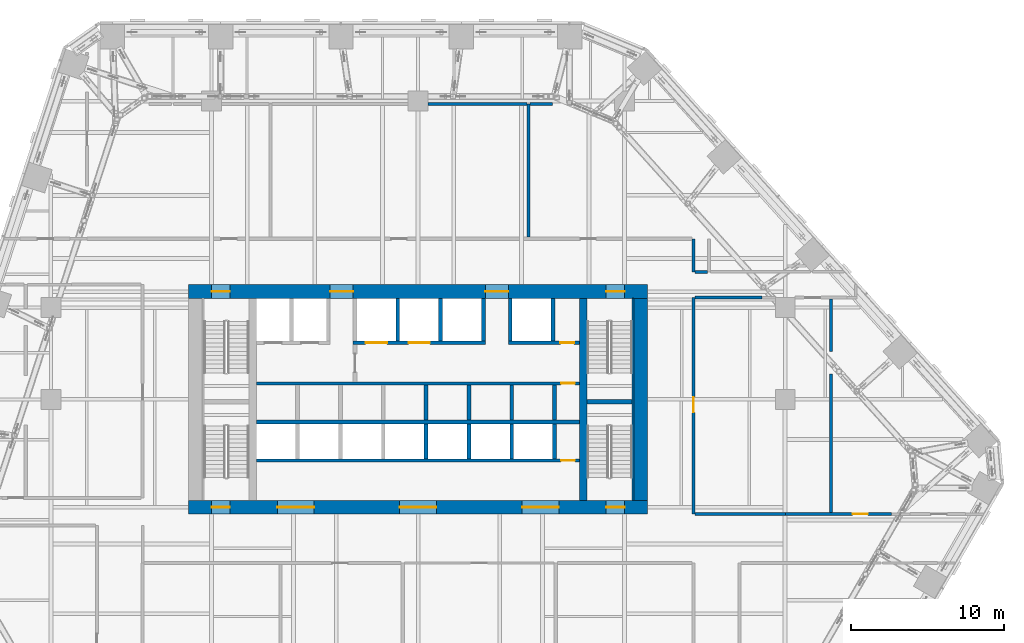
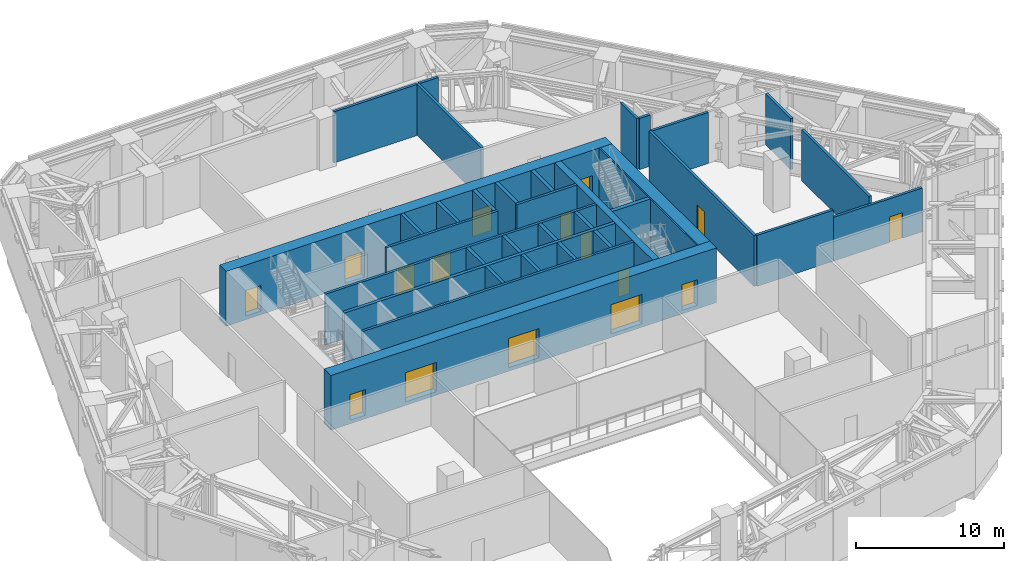
# One storey, part 23 of 36: 35 walls, 16 doors, 16 openings.
"""IFC4 building model written with IfcOpenShell, lengths in metres."""

from ifc_helpers import new_model, si_unit, direction, frame, frame_2d, origin, place, context, subcontext, project, spatial, rectangle, extrude, material, layer, layer_set, type_object, element, fill, save


model = new_model("IFC4")

# Units and contexts
model_context = context("Model", 3, precision=1e-05, world=origin(), true_north=direction((0.0, 1.0)))
body_context = subcontext(model_context, "Body", "Model", "MODEL_VIEW")
ifc_project = project(units=[si_unit("LENGTHUNIT", "METRE"), si_unit("AREAUNIT", "SQUARE_METRE"), si_unit("VOLUMEUNIT", "CUBIC_METRE"), si_unit("PLANEANGLEUNIT", "RADIAN"), si_unit("MASSUNIT", "GRAM", prefix="KILO")], contexts=[model_context])

# Site, building, storey
site_placement = place(None, origin())
site = spatial("IfcSite", under=ifc_project, at=site_placement, CompositionType="ELEMENT")
building_placement = place(site_placement, origin())
building = spatial("IfcBuilding", under=site, at=building_placement, Name="Isthmus Gate Tower", CompositionType="ELEMENT")
storey_placement = place(building_placement, frame((0.0, 0.0, 117.14990234375)))
storey = spatial("IfcBuildingStorey", under=building, at=storey_placement, Name="L28", CompositionType="ELEMENT", Elevation=117.14990234375)

# Wall
ifc_material_1 = material(Name="Concrete f'c 30 MPa", Category="concrete")
ifc_layer_1 = layer(ifc_material_1, 0.199951171875)
ifc_layer_set_1 = layer_set([ifc_layer_1], Name="Fire-rated block wall 200")
wall_type_1 = type_object("IfcWallType", Name="Fire-rated block wall 200", PredefinedType="PARTITIONING", material=ifc_layer_set_1)
wall_1_placement = place(storey_placement, frame((18.10009765625, 0.0, 0.0), z_axis=(0.0, 0.0, 1.0), x_axis=(1.0, 0.0, 0.0)))
element("IfcWall", 1, at=wall_1_placement, inside=storey, type_object=wall_type_1, Name="Fire-rated wall", PredefinedType="PARTITIONING", context=body_context, shape_type="SweptSolid", body=[
    extrude(rectangle(XDim=5.93310546875, YDim=0.199951171875, at=frame_2d((2.966552734375, 0.0))), origin(), (0.0, 0.0, 1.0), 4.2001953125),
])

# Wall, opening, door
wall_2_placement = place(storey_placement, frame((24.033203125, 0.0, 0.0), z_axis=(0.0, 0.0, 1.0), x_axis=(1.0, 0.0, 0.0)))
wall_2 = element("IfcWall", 2, at=wall_2_placement, inside=storey, type_object=wall_type_1, Name="Fire-rated wall", PredefinedType="PARTITIONING", context=body_context, shape_type="SweptSolid", body=[
    extrude(rectangle(XDim=6.912841796875, YDim=0.199951171875, at=frame_2d((3.45654296875, 0.0))), origin(), (0.0, 0.0, 1.0), 3.60009765625),
])
opening_1_placement = place(wall_2_placement, frame((4.36669921875, 0.0, 0.0)))
opening_1 = element("IfcOpeningElement", 3, at=opening_1_placement, cuts=wall_2, Name="Opening DP28-11", PredefinedType="OPENING", context=body_context, shape_type="SweptSolid", body=[
    extrude(rectangle(XDim=1.0, YDim=2.10009765625, at=frame_2d((0.5, 1.050048828125))), frame((0.0, 0.10986328125, 0.0), z_axis=(0.0, -1.0, 0.0), x_axis=(1.0, 0.0, 0.0)), (0.0, 0.0, 1.0), 0.219970703125),
])
ifc_material_2 = material(Name="Steel fire door with intumescent seals", Category="steel")
door_type_1 = type_object("IfcDoorType", Name="Fire door 1000 x 2100", OperationType="SINGLE_SWING_LEFT", PredefinedType="DOOR", material=ifc_material_2)
door_1_placement = place(opening_1_placement, origin())
door_1 = element("IfcDoor", 4, at=door_1_placement, inside=storey, type_object=door_type_1, Name="Door DP28-11", OperationType="SINGLE_SWING_LEFT", OverallHeight=2.10009765625, OverallWidth=1.0, PredefinedType="DOOR", context=body_context, shape_type="SweptSolid", body=[
    extrude(rectangle(XDim=1.0, YDim=2.10009765625, at=frame_2d((0.5, 1.050048828125))), frame((0.0, 0.02490234375, 0.0), z_axis=(0.0, -1.0, 0.0), x_axis=(1.0, 0.0, 0.0)), (0.0, 0.0, 1.0), 0.050048828125),
])
fill(opening_1, door_1)

# Walls
wall_3_placement = place(storey_placement, frame((18.10009765625, 14.14990234375, 0.0), z_axis=(0.0, 0.0, 1.0), x_axis=(1.0, 0.0, 0.0)))
element("IfcWall", 5, at=wall_3_placement, inside=storey, type_object=wall_type_1, Name="Fire-rated wall", PredefinedType="PARTITIONING", context=body_context, shape_type="SweptSolid", body=[
    extrude(rectangle(XDim=4.398681640625, YDim=0.199951171875, at=frame_2d((2.19921875, 0.0))), origin(), (0.0, 0.0, 1.0), 4.2001953125),
])
wall_4_placement = place(storey_placement, frame((18.10009765625, 15.8369140625, 0.0), z_axis=(0.0, 0.0, 1.0), x_axis=(1.0, 0.0, 0.0)))
element("IfcWall", 6, at=wall_4_placement, inside=storey, type_object=wall_type_1, Name="Fire-rated wall", PredefinedType="PARTITIONING", context=body_context, shape_type="SweptSolid", body=[
    extrude(rectangle(XDim=0.831787109375, YDim=0.199951171875, at=frame_2d((0.416015625, 0.0))), origin(), (0.0, 0.0, 1.0), 4.2001953125),
])
wall_5_placement = place(storey_placement, frame((0.64990234375, 26.800048828125, 0.0), z_axis=(0.0, 0.0, 1.0), x_axis=(1.0, 0.0, 0.0)))
element("IfcWall", 7, at=wall_5_placement, inside=storey, type_object=wall_type_1, Name="Fire-rated wall", PredefinedType="PARTITIONING", context=body_context, shape_type="SweptSolid", body=[
    extrude(rectangle(XDim=6.47705078125, YDim=0.199951171875, at=frame_2d((3.238525390625, 0.0))), origin(), (0.0, 0.0, 1.0), 4.2001953125),
])
wall_6_placement = place(storey_placement, frame((7.326904296875, 26.800048828125, 0.0), z_axis=(0.0, 0.0, 1.0), x_axis=(1.0, 0.0, 0.0)))
element("IfcWall", 8, at=wall_6_placement, inside=storey, type_object=wall_type_1, Name="Fire-rated wall", PredefinedType="PARTITIONING", context=body_context, shape_type="SweptSolid", body=[
    extrude(rectangle(XDim=1.47216796875, YDim=0.199951171875, at=frame_2d((0.736083984375, 0.0))), origin(), (0.0, 0.0, 1.0), 4.2001953125),
])
wall_7_placement = place(storey_placement, frame((7.22705078125, 18.10009765625, 0.0), z_axis=(0.0, 0.0, 1.0), x_axis=(0.0, 1.0, 0.0)))
element("IfcWall", 9, at=wall_7_placement, inside=storey, type_object=wall_type_1, Name="Fire-rated wall", PredefinedType="PARTITIONING", context=body_context, shape_type="SweptSolid", body=[
    extrude(rectangle(XDim=8.699951171875, YDim=0.199951171875, at=frame_2d((4.35009765625, 0.0))), origin(), (0.0, 0.0, 1.0), 4.2001953125),
])

# Wall, opening, door
wall_8_placement = place(storey_placement, frame((18.0, 0.0, 0.0), z_axis=(0.0, 0.0, 1.0), x_axis=(0.0, 1.0, 0.0)))
wall_8 = element("IfcWall", 10, at=wall_8_placement, inside=storey, type_object=wall_type_1, Name="Fire-rated wall", PredefinedType="PARTITIONING", context=body_context, shape_type="SweptSolid", body=[
    extrude(rectangle(XDim=14.14990234375, YDim=0.199951171875, at=frame_2d((7.074951171875, 0.0))), origin(), (0.0, 0.0, 1.0), 4.2001953125),
])
opening_2_placement = place(wall_8_placement, frame((6.64990234375, 0.0, 0.0)))
opening_2 = element("IfcOpeningElement", 11, at=opening_2_placement, cuts=wall_8, Name="Opening DP28-08", PredefinedType="OPENING", context=body_context, shape_type="SweptSolid", body=[
    extrude(rectangle(XDim=1.0, YDim=2.10009765625, at=frame_2d((0.5, 1.050048828125))), frame((0.0, 0.10986328125, 0.0), z_axis=(0.0, -1.0, 0.0), x_axis=(1.0, 0.0, 0.0)), (0.0, 0.0, 1.0), 0.219970703125),
])
door_2_placement = place(opening_2_placement, origin())
door_2 = element("IfcDoor", 12, at=door_2_placement, inside=storey, type_object=door_type_1, Name="Door DP28-08", OperationType="SINGLE_SWING_LEFT", OverallHeight=2.10009765625, OverallWidth=1.0, PredefinedType="DOOR", context=body_context, shape_type="SweptSolid", body=[
    extrude(rectangle(XDim=1.0, YDim=2.10009765625, at=frame_2d((0.5, 1.050048828125))), frame((0.0, 0.02490234375, 0.0), z_axis=(0.0, -1.0, 0.0), x_axis=(1.0, 0.0, 0.0)), (0.0, 0.0, 1.0), 0.050048828125),
])
fill(opening_2, door_2)

# Walls
wall_9_placement = place(storey_placement, frame((18.0, 15.83740234375, 0.0), z_axis=(0.0, 0.0, 1.0), x_axis=(0.0, 1.0, 0.0)))
element("IfcWall", 13, at=wall_9_placement, inside=storey, type_object=wall_type_1, Name="Fire-rated wall", PredefinedType="PARTITIONING", context=body_context, shape_type="SweptSolid", body=[
    extrude(rectangle(XDim=2.16259765625, YDim=0.199951171875, at=frame_2d((1.081298828125, 0.0))), origin(), (0.0, 0.0, 1.0), 4.2001953125),
])
wall_10_placement = place(storey_placement, frame((27.0, 0.10009765625, 0.0), z_axis=(0.0, 0.0, 1.0), x_axis=(0.0, 1.0, 0.0)))
element("IfcWall", 14, at=wall_10_placement, inside=storey, type_object=wall_type_1, Name="Fire-rated wall", PredefinedType="PARTITIONING", context=body_context, shape_type="SweptSolid", body=[
    extrude(rectangle(XDim=9.05078125, YDim=0.199951171875, at=frame_2d((4.525390625, 0.0))), origin(), (0.0, 0.0, 1.0), 4.2001953125),
])
wall_11_placement = place(storey_placement, frame((27.0, 10.6455078125, 0.0), z_axis=(0.0, 0.0, 1.0), x_axis=(0.0, 1.0, 0.0)))
element("IfcWall", 15, at=wall_11_placement, inside=storey, type_object=wall_type_1, Name="Fire-rated wall", PredefinedType="PARTITIONING", context=body_context, shape_type="SweptSolid", body=[
    extrude(rectangle(XDim=3.404541015625, YDim=0.199951171875, at=frame_2d((1.7021484375, 0.0))), origin(), (0.0, 0.0, 1.0), 4.2001953125),
])
ifc_material_3 = material(Name="Concrete f'c 70 MPa", Category="concrete")
ifc_layer_2 = layer(ifc_material_3, 0.5)
ifc_layer_set_2 = layer_set([ifc_layer_2], Name="RC CORE SPINE WALL 500 F'C 70")
wall_type_2 = type_object("IfcWallType", Name="RC CORE SPINE WALL 500 F'C 70", PredefinedType="SOLIDWALL", material=ifc_layer_set_2)
wall_12_placement = place(storey_placement, frame((10.800048828125, 0.89990234375, -0.2998046875), z_axis=(0.0, 0.0, 1.0), x_axis=(0.0, 1.0, 0.0)))
element("IfcWall", 16, at=wall_12_placement, inside=storey, type_object=wall_type_2, Name="str-corewall-L28-SPE", PredefinedType="SOLIDWALL", context=body_context, shape_type="SweptSolid", body=[
    extrude(rectangle(XDim=13.2001953125, YDim=0.5, at=frame_2d((6.60009765625, 0.0))), origin(), (0.0, 0.0, 1.0), 4.5),
])

# Wall, openings, doors
ifc_material_4 = material(Name="Concrete f'c 70 MPa", Category="concrete")
ifc_layer_3 = layer(ifc_material_4, 0.89990234375)
ifc_layer_set_3 = layer_set([ifc_layer_3], Name="RC CORE WALL 900 F'C 70")
wall_type_3 = type_object("IfcWallType", Name="RC CORE WALL 900 F'C 70", PredefinedType="SOLIDWALL", material=ifc_layer_set_3)
wall_13_placement = place(storey_placement, frame((-15.0, 0.449951171875, -0.2998046875), z_axis=(0.0, 0.0, 1.0), x_axis=(1.0, 0.0, 0.0)))
wall_13 = element("IfcWall", 17, at=wall_13_placement, inside=storey, type_object=wall_type_3, Name="str-corewall-L28-S", PredefinedType="SOLIDWALL", context=body_context, shape_type="SweptSolid", body=[
    extrude(rectangle(XDim=30.0, YDim=0.89990234375, at=frame_2d((15.0, 0.0))), origin(), (0.0, 0.0, 1.0), 4.5),
])
opening_3_placement = place(wall_13_placement, frame((5.800048828125, 0.0, 0.300048828125)))
opening_3 = element("IfcOpeningElement", 18, at=opening_3_placement, cuts=wall_13, Name="Opening DC-A07-05", PredefinedType="OPENING", context=body_context, shape_type="SweptSolid", body=[
    extrude(rectangle(XDim=2.39990234375, YDim=2.39990234375, at=frame_2d((1.199951171875, 1.199951171875))), frame((0.0, 0.4599609375, 0.0), z_axis=(0.0, -1.0, 0.0), x_axis=(1.0, 0.0, 0.0)), (0.0, 0.0, 1.0), 0.919921875),
])
opening_4_placement = place(wall_13_placement, frame((13.800048828125, 0.0, 0.300048828125)))
opening_4 = element("IfcOpeningElement", 19, at=opening_4_placement, cuts=wall_13, Name="Opening DC-A07-06", PredefinedType="OPENING", context=body_context, shape_type="SweptSolid", body=[
    extrude(rectangle(XDim=2.39990234375, YDim=2.39990234375, at=frame_2d((1.199951171875, 1.199951171875))), frame((0.0, 0.4599609375, 0.0), z_axis=(0.0, -1.0, 0.0), x_axis=(1.0, 0.0, 0.0)), (0.0, 0.0, 1.0), 0.919921875),
])
opening_5_placement = place(wall_13_placement, frame((21.800048828125, 0.0, 0.300048828125)))
opening_5 = element("IfcOpeningElement", 20, at=opening_5_placement, cuts=wall_13, Name="Opening DC-A07-07", PredefinedType="OPENING", context=body_context, shape_type="SweptSolid", body=[
    extrude(rectangle(XDim=2.39990234375, YDim=2.39990234375, at=frame_2d((1.199951171875, 1.199951171875))), frame((0.0, 0.4599609375, 0.0), z_axis=(0.0, -1.0, 0.0), x_axis=(1.0, 0.0, 0.0)), (0.0, 0.0, 1.0), 0.919921875),
])
opening_6_placement = place(wall_13_placement, frame((1.5, 0.0, 0.300048828125)))
opening_6 = element("IfcOpeningElement", 21, at=opening_6_placement, cuts=wall_13, Name="Opening DC-A07-12", PredefinedType="OPENING", context=body_context, shape_type="SweptSolid", body=[
    extrude(rectangle(XDim=1.199951171875, YDim=2.10009765625, at=frame_2d((0.60009765625, 1.050048828125))), frame((0.0, 0.4599609375, 0.0), z_axis=(0.0, -1.0, 0.0), x_axis=(1.0, 0.0, 0.0)), (0.0, 0.0, 1.0), 0.919921875),
])
opening_7_placement = place(wall_13_placement, frame((27.300048828125, 0.0, 0.300048828125)))
opening_7 = element("IfcOpeningElement", 22, at=opening_7_placement, cuts=wall_13, Name="Opening DC-A07-13", PredefinedType="OPENING", context=body_context, shape_type="SweptSolid", body=[
    extrude(rectangle(XDim=1.199951171875, YDim=2.10009765625, at=frame_2d((0.60009765625, 1.050048828125))), frame((0.0, 0.4599609375, 0.0), z_axis=(0.0, -1.0, 0.0), x_axis=(1.0, 0.0, 0.0)), (0.0, 0.0, 1.0), 0.919921875),
])
ifc_material_5 = material(Name="Laminated safety glass in steel frame, fire-rated", Category="steel")
door_type_2 = type_object("IfcDoorType", Name="LOBBY ENTRANCE FIRE DOOR 2400 X 2400 60 MIN", OperationType="DOUBLE_DOOR_DOUBLE_SWING", PredefinedType="DOOR", material=ifc_material_5)
door_3_placement = place(opening_3_placement, origin())
door_3 = element("IfcDoor", 23, at=door_3_placement, inside=storey, type_object=door_type_2, Name="Lobby Entrance PS-W", OperationType="DOUBLE_DOOR_DOUBLE_SWING", OverallHeight=2.39990234375, OverallWidth=2.39990234375, PredefinedType="DOOR", context=body_context, shape_type="SweptSolid", body=[
    extrude(rectangle(XDim=2.39990234375, YDim=2.39990234375, at=frame_2d((1.199951171875, 1.199951171875))), frame((0.0, 0.02490234375, 0.0), z_axis=(0.0, -1.0, 0.0), x_axis=(1.0, 0.0, 0.0)), (0.0, 0.0, 1.0), 0.050048828125),
])
fill(opening_3, door_3)
door_4_placement = place(opening_4_placement, origin())
door_4 = element("IfcDoor", 24, at=door_4_placement, inside=storey, type_object=door_type_2, Name="Lobby Entrance PS-C", OperationType="DOUBLE_DOOR_DOUBLE_SWING", OverallHeight=2.39990234375, OverallWidth=2.39990234375, PredefinedType="DOOR", context=body_context, shape_type="SweptSolid", body=[
    extrude(rectangle(XDim=2.39990234375, YDim=2.39990234375, at=frame_2d((1.199951171875, 1.199951171875))), frame((0.0, 0.02490234375, 0.0), z_axis=(0.0, -1.0, 0.0), x_axis=(1.0, 0.0, 0.0)), (0.0, 0.0, 1.0), 0.050048828125),
])
fill(opening_4, door_4)
door_5_placement = place(opening_5_placement, origin())
door_5 = element("IfcDoor", 25, at=door_5_placement, inside=storey, type_object=door_type_2, Name="Lobby Entrance PS-E", OperationType="DOUBLE_DOOR_DOUBLE_SWING", OverallHeight=2.39990234375, OverallWidth=2.39990234375, PredefinedType="DOOR", context=body_context, shape_type="SweptSolid", body=[
    extrude(rectangle(XDim=2.39990234375, YDim=2.39990234375, at=frame_2d((1.199951171875, 1.199951171875))), frame((0.0, 0.02490234375, 0.0), z_axis=(0.0, -1.0, 0.0), x_axis=(1.0, 0.0, 0.0)), (0.0, 0.0, 1.0), 0.050048828125),
])
fill(opening_5, door_5)
ifc_material_6 = material(Name="Steel door leaf, fire-rated", Category="steel")
door_type_3 = type_object("IfcDoorType", Name="STAIR FIRE DOOR 1200 X 2100 90 MIN", OperationType="SINGLE_SWING_LEFT", PredefinedType="DOOR", material=ifc_material_6)
door_6_placement = place(opening_6_placement, origin())
door_6 = element("IfcDoor", 26, at=door_6_placement, inside=storey, type_object=door_type_3, Name="Exit Stair 7 Door", OperationType="SINGLE_SWING_LEFT", OverallHeight=2.10009765625, OverallWidth=1.199951171875, PredefinedType="DOOR", context=body_context, shape_type="SweptSolid", body=[
    extrude(rectangle(XDim=1.199951171875, YDim=2.10009765625, at=frame_2d((0.60009765625, 1.050048828125))), frame((0.0, 0.02490234375, 0.0), z_axis=(0.0, -1.0, 0.0), x_axis=(1.0, 0.0, 0.0)), (0.0, 0.0, 1.0), 0.050048828125),
])
fill(opening_6, door_6)
door_7_placement = place(opening_7_placement, origin())
door_7 = element("IfcDoor", 27, at=door_7_placement, inside=storey, type_object=door_type_3, Name="Exit Stair 8 Door", OperationType="SINGLE_SWING_RIGHT", OverallHeight=2.10009765625, OverallWidth=1.199951171875, PredefinedType="DOOR", context=body_context, shape_type="SweptSolid", body=[
    extrude(rectangle(XDim=1.199951171875, YDim=2.10009765625, at=frame_2d((0.60009765625, 1.050048828125))), frame((0.0, 0.02490234375, 0.0), z_axis=(0.0, -1.0, 0.0), x_axis=(1.0, 0.0, 0.0)), (0.0, 0.0, 1.0), 0.050048828125),
])
fill(opening_7, door_7)

wall_14_placement = place(storey_placement, frame((-15.0, 14.550048828125, -0.2998046875), z_axis=(0.0, 0.0, 1.0), x_axis=(1.0, 0.0, 0.0)))
wall_14 = element("IfcWall", 28, at=wall_14_placement, inside=storey, type_object=wall_type_3, Name="str-corewall-L28-N", PredefinedType="SOLIDWALL", context=body_context, shape_type="SweptSolid", body=[
    extrude(rectangle(XDim=30.0, YDim=0.89990234375, at=frame_2d((15.0, 0.0))), origin(), (0.0, 0.0, 1.0), 4.5),
])
opening_8_placement = place(wall_14_placement, frame((9.25, 0.0, 0.300048828125)))
opening_8 = element("IfcOpeningElement", 29, at=opening_8_placement, cuts=wall_14, Name="Opening DC-A07-08", PredefinedType="OPENING", context=body_context, shape_type="SweptSolid", body=[
    extrude(rectangle(XDim=1.5, YDim=2.10009765625, at=frame_2d((0.75, 1.050048828125))), frame((0.0, 0.4599609375, 0.0), z_axis=(0.0, -1.0, 0.0), x_axis=(1.0, 0.0, 0.0)), (0.0, 0.0, 1.0), 0.919921875),
])
opening_9_placement = place(wall_14_placement, frame((19.39990234375, 0.0, 0.300048828125)))
opening_9 = element("IfcOpeningElement", 30, at=opening_9_placement, cuts=wall_14, Name="Opening DC-A07-09", PredefinedType="OPENING", context=body_context, shape_type="SweptSolid", body=[
    extrude(rectangle(XDim=1.5, YDim=2.10009765625, at=frame_2d((0.75, 1.050048828125))), frame((0.0, 0.4599609375, 0.0), z_axis=(0.0, -1.0, 0.0), x_axis=(1.0, 0.0, 0.0)), (0.0, 0.0, 1.0), 0.919921875),
])
opening_10_placement = place(wall_14_placement, frame((1.5, 0.0, 0.300048828125)))
opening_10 = element("IfcOpeningElement", 31, at=opening_10_placement, cuts=wall_14, Name="Opening DC-A07-10", PredefinedType="OPENING", context=body_context, shape_type="SweptSolid", body=[
    extrude(rectangle(XDim=1.199951171875, YDim=2.10009765625, at=frame_2d((0.60009765625, 1.050048828125))), frame((0.0, 0.4599609375, 0.0), z_axis=(0.0, -1.0, 0.0), x_axis=(1.0, 0.0, 0.0)), (0.0, 0.0, 1.0), 0.919921875),
])
opening_11_placement = place(wall_14_placement, frame((27.300048828125, 0.0, 0.300048828125)))
opening_11 = element("IfcOpeningElement", 32, at=opening_11_placement, cuts=wall_14, Name="Opening DC-A07-11", PredefinedType="OPENING", context=body_context, shape_type="SweptSolid", body=[
    extrude(rectangle(XDim=1.199951171875, YDim=2.10009765625, at=frame_2d((0.60009765625, 1.050048828125))), frame((0.0, 0.4599609375, 0.0), z_axis=(0.0, -1.0, 0.0), x_axis=(1.0, 0.0, 0.0)), (0.0, 0.0, 1.0), 0.919921875),
])
ifc_material_7 = material(Name="Steel door leaf, fire-rated", Category="steel")
door_type_4 = type_object("IfcDoorType", Name="LOBBY FIRE DOOR 1500 X 2100 60 MIN", OperationType="DOUBLE_DOOR_SINGLE_SWING", PredefinedType="DOOR", material=ifc_material_7)
door_8_placement = place(opening_9_placement, origin())
door_8 = element("IfcDoor", 33, at=door_8_placement, inside=storey, type_object=door_type_4, Name="Lobby Door PN-E", OperationType="DOUBLE_DOOR_SINGLE_SWING", OverallHeight=2.10009765625, OverallWidth=1.5, PredefinedType="DOOR", context=body_context, shape_type="SweptSolid", body=[
    extrude(rectangle(XDim=1.5, YDim=2.10009765625, at=frame_2d((0.75, 1.050048828125))), frame((0.0, 0.02490234375, 0.0), z_axis=(0.0, -1.0, 0.0), x_axis=(1.0, 0.0, 0.0)), (0.0, 0.0, 1.0), 0.050048828125),
])
fill(opening_9, door_8)
ifc_material_8 = material(Name="Steel door leaf, fire-rated", Category="steel")
door_type_5 = type_object("IfcDoorType", Name="LOBBY FIRE DOOR 1500 X 2100 90 MIN", OperationType="DOUBLE_DOOR_SINGLE_SWING", PredefinedType="DOOR", material=ifc_material_8)
door_9_placement = place(opening_8_placement, origin())
door_9 = element("IfcDoor", 34, at=door_9_placement, inside=storey, type_object=door_type_5, Name="Lobby Door PN-W", OperationType="DOUBLE_DOOR_SINGLE_SWING", OverallHeight=2.10009765625, OverallWidth=1.5, PredefinedType="DOOR", context=body_context, shape_type="SweptSolid", body=[
    extrude(rectangle(XDim=1.5, YDim=2.10009765625, at=frame_2d((0.75, 1.050048828125))), frame((0.0, 0.02490234375, 0.0), z_axis=(0.0, -1.0, 0.0), x_axis=(1.0, 0.0, 0.0)), (0.0, 0.0, 1.0), 0.050048828125),
])
fill(opening_8, door_9)
door_10_placement = place(opening_10_placement, origin())
door_10 = element("IfcDoor", 35, at=door_10_placement, inside=storey, type_object=door_type_3, Name="Exit Stair 1 Door", OperationType="SINGLE_SWING_RIGHT", OverallHeight=2.10009765625, OverallWidth=1.199951171875, PredefinedType="DOOR", context=body_context, shape_type="SweptSolid", body=[
    extrude(rectangle(XDim=1.199951171875, YDim=2.10009765625, at=frame_2d((0.60009765625, 1.050048828125))), frame((0.0, 0.02490234375, 0.0), z_axis=(0.0, -1.0, 0.0), x_axis=(1.0, 0.0, 0.0)), (0.0, 0.0, 1.0), 0.050048828125),
])
fill(opening_10, door_10)
door_11_placement = place(opening_11_placement, origin())
door_11 = element("IfcDoor", 36, at=door_11_placement, inside=storey, type_object=door_type_3, Name="Exit Stair 2 Door", OperationType="SINGLE_SWING_LEFT", OverallHeight=2.10009765625, OverallWidth=1.199951171875, PredefinedType="DOOR", context=body_context, shape_type="SweptSolid", body=[
    extrude(rectangle(XDim=1.199951171875, YDim=2.10009765625, at=frame_2d((0.60009765625, 1.050048828125))), frame((0.0, 0.02490234375, 0.0), z_axis=(0.0, -1.0, 0.0), x_axis=(1.0, 0.0, 0.0)), (0.0, 0.0, 1.0), 0.050048828125),
])
fill(opening_11, door_11)

# Wall
wall_15_placement = place(storey_placement, frame((14.550048828125, 0.89990234375, -0.2998046875), z_axis=(0.0, 0.0, 1.0), x_axis=(0.0, 1.0, 0.0)))
element("IfcWall", 37, at=wall_15_placement, inside=storey, type_object=wall_type_3, Name="str-corewall-L28-E", PredefinedType="SOLIDWALL", context=body_context, shape_type="SweptSolid", body=[
    extrude(rectangle(XDim=13.2001953125, YDim=0.89990234375, at=frame_2d((6.60009765625, 0.0))), origin(), (0.0, 0.0, 1.0), 4.5),
])

# Wall, opening, door
ifc_material_9 = material(Name="Fire-rated blockwork masonry, 15 MPa", Category="masonry")
ifc_layer_4 = layer(ifc_material_9, 0.199951171875)
ifc_layer_set_4 = layer_set([ifc_layer_4], Name="SHAFT FRONT WALL 200 120 MIN")
wall_type_4 = type_object("IfcWallType", Name="SHAFT FRONT WALL 200 120 MIN", PredefinedType="PARTITIONING", material=ifc_layer_set_4)
wall_16_placement = place(storey_placement, frame((-10.550048828125, 3.5, 0.0), z_axis=(0.0, 0.0, 1.0), x_axis=(1.0, 0.0, 0.0)))
wall_16 = element("IfcWall", 38, at=wall_16_placement, inside=storey, type_object=wall_type_4, Name="L28 SHAFT FRONT WALL 200 120 MIN", PredefinedType="PARTITIONING", context=body_context, shape_type="SweptSolid", body=[
    extrude(rectangle(XDim=21.10009765625, YDim=0.199951171875, at=frame_2d((10.550048828125, 0.0))), origin(), (0.0, 0.0, 1.0), 4.2001953125),
])
opening_12_placement = place(wall_16_placement, frame((19.89990234375, 0.0, 0.0)))
opening_12 = element("IfcOpeningElement", 39, at=opening_12_placement, cuts=wall_16, Name="Opening DC-A07-02", PredefinedType="OPENING", context=body_context, shape_type="SweptSolid", body=[
    extrude(rectangle(XDim=0.89990234375, YDim=2.10009765625, at=frame_2d((0.449951171875, 1.050048828125))), frame((0.0, 0.10986328125, 0.0), z_axis=(0.0, -1.0, 0.0), x_axis=(1.0, 0.0, 0.0)), (0.0, 0.0, 1.0), 0.219970703125),
])
ifc_material_10 = material(Name="Steel door leaf, fire-rated", Category="steel")
door_type_6 = type_object("IfcDoorType", Name="RISER FIRE DOOR 900 X 2100 90 MIN", OperationType="SINGLE_SWING_LEFT", PredefinedType="DOOR", material=ifc_material_10)
door_12_placement = place(opening_12_placement, origin())
door_12 = element("IfcDoor", 40, at=door_12_placement, inside=storey, type_object=door_type_6, Name="Riser Door", OperationType="SINGLE_SWING_RIGHT", OverallHeight=2.10009765625, OverallWidth=0.89990234375, PredefinedType="DOOR", context=body_context, shape_type="SweptSolid", body=[
    extrude(rectangle(XDim=0.89990234375, YDim=2.10009765625, at=frame_2d((0.449951171875, 1.050048828125))), frame((0.0, 0.02490234375, 0.0), z_axis=(0.0, -1.0, 0.0), x_axis=(1.0, 0.0, 0.0)), (0.0, 0.0, 1.0), 0.050048828125),
])
fill(opening_12, door_12)

wall_17_placement = place(storey_placement, frame((-10.550048828125, 8.550048828125, 0.0), z_axis=(0.0, 0.0, 1.0), x_axis=(1.0, 0.0, 0.0)))
wall_17 = element("IfcWall", 41, at=wall_17_placement, inside=storey, type_object=wall_type_4, Name="L28 SHAFT FRONT WALL 200 120 MIN", PredefinedType="PARTITIONING", context=body_context, shape_type="SweptSolid", body=[
    extrude(rectangle(XDim=21.10009765625, YDim=0.199951171875, at=frame_2d((10.550048828125, 0.0))), origin(), (0.0, 0.0, 1.0), 4.2001953125),
])
opening_13_placement = place(wall_17_placement, frame((19.89990234375, 0.0, 0.0)))
opening_13 = element("IfcOpeningElement", 42, at=opening_13_placement, cuts=wall_17, Name="Opening DC-A07-03", PredefinedType="OPENING", context=body_context, shape_type="SweptSolid", body=[
    extrude(rectangle(XDim=0.89990234375, YDim=2.10009765625, at=frame_2d((0.449951171875, 1.050048828125))), frame((0.0, 0.10986328125, 0.0), z_axis=(0.0, -1.0, 0.0), x_axis=(1.0, 0.0, 0.0)), (0.0, 0.0, 1.0), 0.219970703125),
])
door_13_placement = place(opening_13_placement, origin())
door_13 = element("IfcDoor", 43, at=door_13_placement, inside=storey, type_object=door_type_6, Name="Riser Door", OperationType="SINGLE_SWING_RIGHT", OverallHeight=2.10009765625, OverallWidth=0.89990234375, PredefinedType="DOOR", context=body_context, shape_type="SweptSolid", body=[
    extrude(rectangle(XDim=0.89990234375, YDim=2.10009765625, at=frame_2d((0.449951171875, 1.050048828125))), frame((0.0, 0.02490234375, 0.0), z_axis=(0.0, -1.0, 0.0), x_axis=(1.0, 0.0, 0.0)), (0.0, 0.0, 1.0), 0.050048828125),
])
fill(opening_13, door_13)

# Wall, openings, doors
wall_18_placement = place(storey_placement, frame((-4.25, 11.199951171875, 0.0), z_axis=(0.0, 0.0, 1.0), x_axis=(1.0, 0.0, 0.0)))
wall_18 = element("IfcWall", 44, at=wall_18_placement, inside=storey, type_object=wall_type_4, Name="L28 SHAFT FRONT WALL 200 120 MIN", PredefinedType="PARTITIONING", context=body_context, shape_type="SweptSolid", body=[
    extrude(rectangle(XDim=8.64990234375, YDim=0.199951171875, at=frame_2d((4.324951171875, 0.0))), origin(), (0.0, 0.0, 1.0), 4.2001953125),
])
opening_14_placement = place(wall_18_placement, frame((0.824951171875, 0.0, 0.0)))
opening_14 = element("IfcOpeningElement", 45, at=opening_14_placement, cuts=wall_18, Name="Opening LD-LV1", PredefinedType="OPENING", context=body_context, shape_type="SweptSolid", body=[
    extrude(rectangle(XDim=1.39990234375, YDim=2.10009765625, at=frame_2d((0.699951171875, 1.050048828125))), frame((0.0, 0.10986328125, 0.0), z_axis=(0.0, -1.0, 0.0), x_axis=(1.0, 0.0, 0.0)), (0.0, 0.0, 1.0), 0.219970703125),
])
opening_15_placement = place(wall_18_placement, frame((3.625, 0.0, 0.0)))
opening_15 = element("IfcOpeningElement", 46, at=opening_15_placement, cuts=wall_18, Name="Opening LD-LV2", PredefinedType="OPENING", context=body_context, shape_type="SweptSolid", body=[
    extrude(rectangle(XDim=1.39990234375, YDim=2.10009765625, at=frame_2d((0.699951171875, 1.050048828125))), frame((0.0, 0.10986328125, 0.0), z_axis=(0.0, -1.0, 0.0), x_axis=(1.0, 0.0, 0.0)), (0.0, 0.0, 1.0), 0.219970703125),
])
ifc_material_11 = material(Name="Stainless steel sliding leaf", Category="steel")
door_type_7 = type_object("IfcDoorType", Name="LIFT LANDING FIRE DOOR 1400 X 2100 90 MIN", OperationType="DOUBLE_DOOR_SLIDING", PredefinedType="DOOR", material=ifc_material_11)
door_14_placement = place(opening_14_placement, origin())
door_14 = element("IfcDoor", 47, at=door_14_placement, inside=storey, type_object=door_type_7, Name="Lift Landing Door LV1", OperationType="DOUBLE_DOOR_SLIDING", OverallHeight=2.10009765625, OverallWidth=1.39990234375, PredefinedType="DOOR", context=body_context, shape_type="SweptSolid", body=[
    extrude(rectangle(XDim=1.39990234375, YDim=2.10009765625, at=frame_2d((0.699951171875, 1.050048828125))), frame((0.0, 0.02490234375, 0.0), z_axis=(0.0, -1.0, 0.0), x_axis=(1.0, 0.0, 0.0)), (0.0, 0.0, 1.0), 0.050048828125),
])
fill(opening_14, door_14)
door_15_placement = place(opening_15_placement, origin())
door_15 = element("IfcDoor", 48, at=door_15_placement, inside=storey, type_object=door_type_7, Name="Lift Landing Door LV2", OperationType="DOUBLE_DOOR_SLIDING", OverallHeight=2.10009765625, OverallWidth=1.39990234375, PredefinedType="DOOR", context=body_context, shape_type="SweptSolid", body=[
    extrude(rectangle(XDim=1.39990234375, YDim=2.10009765625, at=frame_2d((0.699951171875, 1.050048828125))), frame((0.0, 0.02490234375, 0.0), z_axis=(0.0, -1.0, 0.0), x_axis=(1.0, 0.0, 0.0)), (0.0, 0.0, 1.0), 0.050048828125),
])
fill(opening_15, door_15)

# Wall, opening, door
wall_19_placement = place(storey_placement, frame((5.89990234375, 11.199951171875, 0.0), z_axis=(0.0, 0.0, 1.0), x_axis=(1.0, 0.0, 0.0)))
wall_19 = element("IfcWall", 49, at=wall_19_placement, inside=storey, type_object=wall_type_4, Name="L28 SHAFT FRONT WALL 200 120 MIN", PredefinedType="PARTITIONING", context=body_context, shape_type="SweptSolid", body=[
    extrude(rectangle(XDim=4.650146484375, YDim=0.199951171875, at=frame_2d((2.3251953125, 0.0))), origin(), (0.0, 0.0, 1.0), 4.2001953125),
])
opening_16_placement = place(wall_19_placement, frame((3.39990234375, 0.0, 0.0)))
opening_16 = element("IfcOpeningElement", 50, at=opening_16_placement, cuts=wall_19, Name="Opening DC-A07-04", PredefinedType="OPENING", context=body_context, shape_type="SweptSolid", body=[
    extrude(rectangle(XDim=0.89990234375, YDim=2.10009765625, at=frame_2d((0.449951171875, 1.050048828125))), frame((0.0, 0.10986328125, 0.0), z_axis=(0.0, -1.0, 0.0), x_axis=(1.0, 0.0, 0.0)), (0.0, 0.0, 1.0), 0.219970703125),
])
door_16_placement = place(opening_16_placement, origin())
door_16 = element("IfcDoor", 51, at=door_16_placement, inside=storey, type_object=door_type_6, Name="Riser Door", OperationType="SINGLE_SWING_LEFT", OverallHeight=2.10009765625, OverallWidth=0.89990234375, PredefinedType="DOOR", context=body_context, shape_type="SweptSolid", body=[
    extrude(rectangle(XDim=0.89990234375, YDim=2.10009765625, at=frame_2d((0.449951171875, 1.050048828125))), frame((0.0, 0.02490234375, 0.0), z_axis=(0.0, -1.0, 0.0), x_axis=(1.0, 0.0, 0.0)), (0.0, 0.0, 1.0), 0.050048828125),
])
fill(opening_16, door_16)

# Walls
ifc_material_12 = material(Name="Fire-rated blockwork masonry, 15 MPa", Category="masonry")
ifc_layer_5 = layer(ifc_material_12, 0.25)
ifc_layer_set_5 = layer_set([ifc_layer_5], Name="SHAFT WALL 250 120 MIN")
wall_type_5 = type_object("IfcWallType", Name="SHAFT WALL 250 120 MIN", PredefinedType="PARTITIONING", material=ifc_layer_set_5)
wall_20_placement = place(storey_placement, frame((-10.550048828125, 6.02490234375, 0.0), z_axis=(0.0, 0.0, 1.0), x_axis=(1.0, 0.0, 0.0)))
element("IfcWall", 52, at=wall_20_placement, inside=storey, type_object=wall_type_5, Name="L28 SHAFT WALL 250 120 MIN", PredefinedType="PARTITIONING", context=body_context, shape_type="SweptSolid", body=[
    extrude(rectangle(XDim=21.10009765625, YDim=0.25, at=frame_2d((10.550048828125, 0.0))), origin(), (0.0, 0.0, 1.0), 4.2001953125),
])
for number, where, z_axis, x_axis, name in (
    (53, (0.52490234375, 3.60009765625, 0.0), (0.0, 0.0, 1.0), (0.0, 1.0, 0.0), "L28 SHAFT WALL 250 120 MIN"),
    (54, (3.324951171875, 3.60009765625, 0.0), (0.0, 0.0, 1.0), (0.0, 1.0, 0.0), "L28 SHAFT WALL 250 120 MIN"),
    (55, (6.125, 3.60009765625, 0.0), (0.0, 0.0, 1.0), (0.0, 1.0, 0.0), "L28 SHAFT WALL 250 120 MIN"),
    (56, (8.925048828125, 3.60009765625, 0.0), (0.0, 0.0, 1.0), (0.0, 1.0, 0.0), "L28 SHAFT WALL 250 120 MIN"),
):
    element("IfcWall", number, at=place(storey_placement, frame(where, z_axis=z_axis, x_axis=x_axis)), inside=storey, type_object=wall_type_5, Name=name, PredefinedType="PARTITIONING", context=body_context, shape_type="SweptSolid", body=[
        extrude(rectangle(XDim=2.2998046875, YDim=0.25, at=frame_2d((1.14990234375, 0.0))), origin(), (0.0, 0.0, 1.0), 4.2001953125),
    ])
for number, where, z_axis, x_axis, name in (
    (57, (0.52490234375, 6.14990234375, 0.0), (0.0, 0.0, 1.0), (0.0, 1.0, 0.0), "L28 SHAFT WALL 250 120 MIN"),
    (58, (3.324951171875, 6.14990234375, 0.0), (0.0, 0.0, 1.0), (0.0, 1.0, 0.0), "L28 SHAFT WALL 250 120 MIN"),
    (59, (6.125, 6.14990234375, 0.0), (0.0, 0.0, 1.0), (0.0, 1.0, 0.0), "L28 SHAFT WALL 250 120 MIN"),
    (60, (8.925048828125, 6.14990234375, 0.0), (0.0, 0.0, 1.0), (0.0, 1.0, 0.0), "L28 SHAFT WALL 250 120 MIN"),
):
    element("IfcWall", number, at=place(storey_placement, frame(where, z_axis=z_axis, x_axis=x_axis)), inside=storey, type_object=wall_type_5, Name=name, PredefinedType="PARTITIONING", context=body_context, shape_type="SweptSolid", body=[
        extrude(rectangle(XDim=2.300048828125, YDim=0.25, at=frame_2d((1.14990234375, 0.0))), origin(), (0.0, 0.0, 1.0), 4.2001953125),
    ])
for number, where, z_axis, x_axis, name in (
    (61, (-1.324951171875, 11.300048828125, 0.0), (0.0, 0.0, 1.0), (0.0, 1.0, 0.0), "L28 SHAFT WALL 250 120 MIN"),
    (62, (1.47509765625, 11.300048828125, 0.0), (0.0, 0.0, 1.0), (0.0, 1.0, 0.0), "L28 SHAFT WALL 250 120 MIN"),
    (63, (4.27490234375, 11.300048828125, 0.0), (0.0, 0.0, 1.0), (0.0, 1.0, 0.0), "L28 SHAFT WALL 250 120 MIN"),
    (64, (6.02490234375, 11.300048828125, 0.0), (0.0, 0.0, 1.0), (0.0, 1.0, 0.0), "L28 SHAFT WALL 250 120 MIN"),
    (65, (8.824951171875, 11.300048828125, 0.0), (0.0, 0.0, 1.0), (0.0, 1.0, 0.0), "L28 SHAFT WALL 250 120 MIN"),
):
    element("IfcWall", number, at=place(storey_placement, frame(where, z_axis=z_axis, x_axis=x_axis)), inside=storey, type_object=wall_type_5, Name=name, PredefinedType="PARTITIONING", context=body_context, shape_type="SweptSolid", body=[
        extrude(rectangle(XDim=2.800048828125, YDim=0.25, at=frame_2d((1.39990234375, 0.0))), origin(), (0.0, 0.0, 1.0), 4.2001953125),
    ])
ifc_material_13 = material(Name="Concrete f'c 40 MPa", Category="concrete")
ifc_layer_6 = layer(ifc_material_13, 0.10009765625)
ifc_layer_set_6 = layer_set([ifc_layer_6], Name="STAIR ENCLOSURE WALL 100 180 MIN")
wall_type_6 = type_object("IfcWallType", Name="STAIR ENCLOSURE WALL 100 180 MIN", PredefinedType="SOLIDWALL", material=ifc_layer_set_6)
wall_21_placement = place(storey_placement, frame((14.050048828125, 0.89990234375, 0.0), z_axis=(0.0, 0.0, 1.0), x_axis=(0.0, 1.0, 0.0)))
element("IfcWall", 66, at=wall_21_placement, inside=storey, type_object=wall_type_6, Name="L28 STAIR ENCLOSURE WALL 100 180 MIN", PredefinedType="SOLIDWALL", context=body_context, shape_type="SweptSolid", body=[
    extrude(rectangle(XDim=13.2001953125, YDim=0.10009765625, at=frame_2d((6.60009765625, 0.0))), origin(), (0.0, 0.0, 1.0), 4.2001953125),
])
ifc_material_14 = material(Name="Concrete f'c 40 MPa", Category="concrete")
ifc_layer_7 = layer(ifc_material_14, 0.300048828125)
ifc_layer_set_7 = layer_set([ifc_layer_7], Name="STAIR ENCLOSURE WALL 300 180 MIN")
wall_type_7 = type_object("IfcWallType", Name="STAIR ENCLOSURE WALL 300 180 MIN", PredefinedType="SOLIDWALL", material=ifc_layer_set_7)
wall_22_placement = place(storey_placement, frame((11.050048828125, 7.35009765625, 0.0), z_axis=(0.0, 0.0, 1.0), x_axis=(1.0, 0.0, 0.0)))
element("IfcWall", 67, at=wall_22_placement, inside=storey, type_object=wall_type_7, Name="L28 STAIR ENCLOSURE WALL 300 180 MIN", PredefinedType="SOLIDWALL", context=body_context, shape_type="SweptSolid", body=[
    extrude(rectangle(XDim=2.949951171875, YDim=0.300048828125, at=frame_2d((1.47509765625, 0.0))), origin(), (0.0, 0.0, 1.0), 4.2001953125),
])

save(model, "model.ifc")
